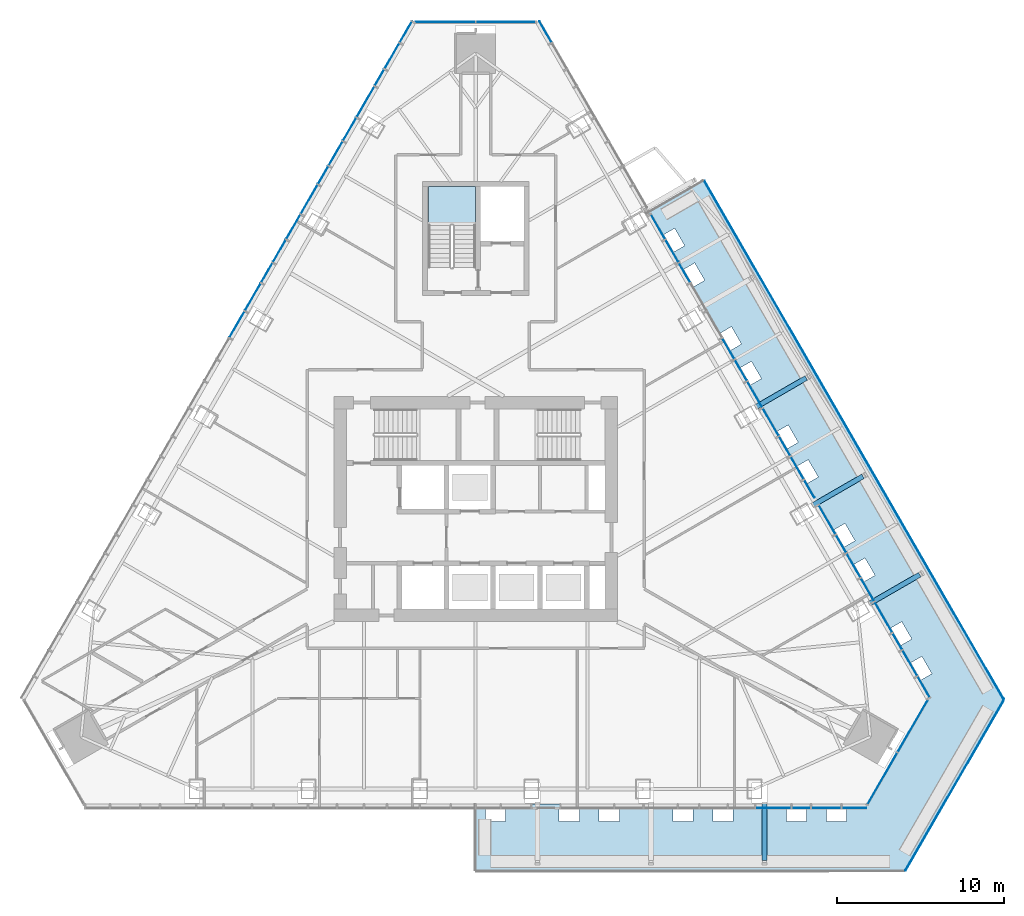
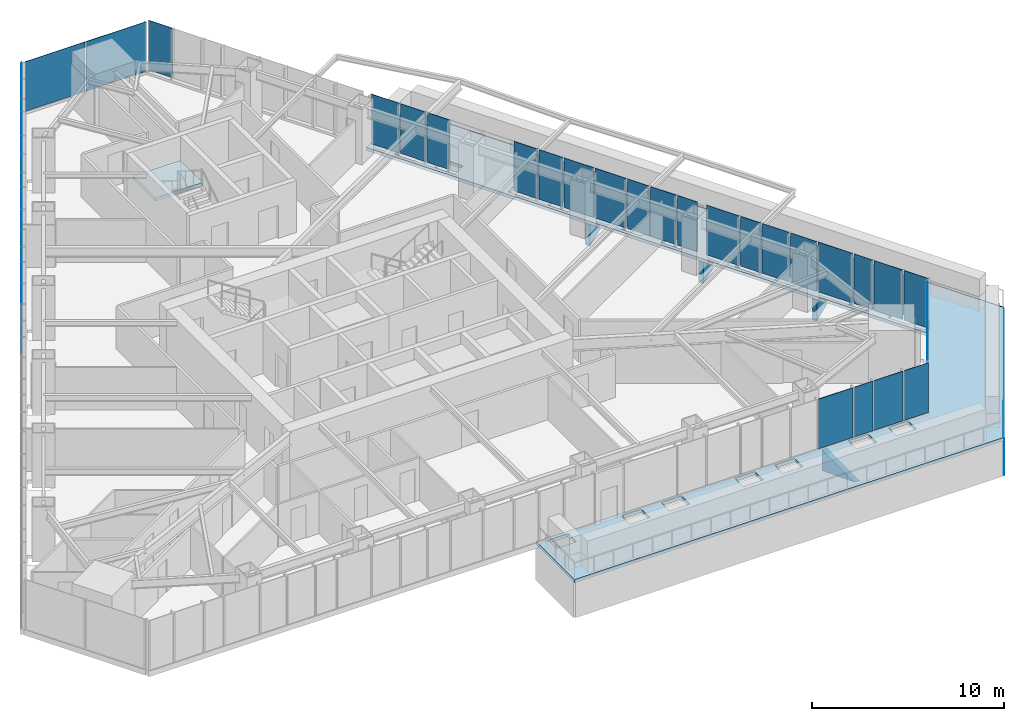
# One storey, part 8 of 17: 46 plates, 2 slabs, 6 elements without a shape of their own.
"""IFC4 building model written with IfcOpenShell, lengths in metres."""

from ifc_helpers import new_model, si_unit, direction, frame, origin, place, context, subcontext, project, spatial, polyline, outline, extrude, material, layer, layer_set, type_object, element, aggregate, save


model = new_model("IFC4")

# Units and contexts
model_context = context("Model", 3, precision=1e-05, world=origin(), true_north=direction((0.0, 1.0)))
body_context = subcontext(model_context, "Body", "Model", "MODEL_VIEW")
ifc_project = project(units=[si_unit("LENGTHUNIT", "METRE"), si_unit("AREAUNIT", "SQUARE_METRE"), si_unit("VOLUMEUNIT", "CUBIC_METRE"), si_unit("PLANEANGLEUNIT", "RADIAN"), si_unit("MASSUNIT", "GRAM", prefix="KILO")], contexts=[model_context])

# Site, building, storey
site_placement = place(None, origin())
site = spatial("IfcSite", under=ifc_project, at=site_placement, CompositionType="ELEMENT")
building_placement = place(site_placement, origin())
building = spatial("IfcBuilding", under=site, at=building_placement, Name="Firuza Gate Tower and Library", CompositionType="ELEMENT")
storey_placement = place(building_placement, frame((0.0, 0.0, 263.60009765625)))
storey = spatial("IfcBuildingStorey", under=building, at=storey_placement, Name="L62", CompositionType="ELEMENT", Elevation=263.60009765625)

# Curtain wall, plates
ifc_material_1 = material(Name="Aluminium 6063-T6", Category="aluminium")
ifc_layer_1 = layer(ifc_material_1, 0.14990234375)
ifc_layer_set_1 = layer_set([ifc_layer_1], Name="Corner curtain wall, chamfers")
curtain_wall_type_1 = type_object("IfcCurtainWallType", Name="Corner curtain wall, chamfers", PredefinedType="NOTDEFINED", material=ifc_layer_set_1)
placement = place(storey_placement, origin())
curtain_wall_1 = element("IfcCurtainWall", 1, at=placement, inside=storey, type_object=curtain_wall_type_1, Name="CW4 L62 SE corner", PredefinedType="NOTDEFINED")
ifc_material_2 = material(Name="Fritted glass", Category="glass")
ifc_layer_2 = layer(ifc_material_2, 0.030029296875)
ifc_layer_set_2 = layer_set([ifc_layer_2], Name="Fritted glass unit, corners")
plate_type_1 = type_object("IfcPlateType", Name="Fritted glass unit, corners", PredefinedType="CURTAIN_PANEL", material=ifc_layer_set_2)
plate_1_placement = place(storey_placement, frame((98.465576171875, 57.291259765625, 0.14990234375), z_axis=(0.866016723041, -0.500015035186, 0.0), x_axis=(0.500015035186, 0.866016723041, 0.0)))
plate_1 = element("IfcPlate", 2, at=plate_1_placement, type_object=plate_type_1, Name="Glass unit", PredefinedType="CURTAIN_PANEL", context=body_context, shape_type="SweptSolid", body=[
    extrude(outline(polyline([(0.0, 0.0), (3.5633694106530625, 0.0), (3.5633694106530625, 3.14990234375), (0.0, 3.14990234375), (0.0, 0.0)])), origin(), (0.0, 0.0, -1.0), 0.030029296875),
])
plate_2_placement = place(storey_placement, frame((100.287353515625, 60.446533203125, 0.14990234375), z_axis=(0.866046390552, -0.49996364809, 0.0), x_axis=(0.49996364809, 0.866046390552, 0.0)))
plate_2 = element("IfcPlate", 3, at=plate_2_placement, type_object=plate_type_1, Name="Glass unit", PredefinedType="CURTAIN_PANEL", context=body_context, shape_type="SweptSolid", body=[
    extrude(outline(polyline([(0.0, 0.0), (3.563247342942594, 0.0), (3.563247342942594, 3.14990234375), (0.0, 3.14990234375), (0.0, 0.0)])), origin(), (0.0, 0.0, -1.0), 0.030029296875),
])
aggregate(curtain_wall_1, [plate_1, plate_2])

curtain_wall_2 = element("IfcCurtainWall", 4, at=placement, inside=storey, type_object=curtain_wall_type_1, Name="CW4 L62 N corner", PredefinedType="NOTDEFINED")
plate_3_placement = place(storey_placement, frame((78.603271484375, 104.176025390625, 0.14990234375), z_axis=(0.0, 1.0, 0.0), x_axis=(-1.0, 0.0, 0.0)))
plate_3 = element("IfcPlate", 5, at=plate_3_placement, type_object=plate_type_1, Name="Glass unit", PredefinedType="CURTAIN_PANEL", context=body_context, shape_type="SweptSolid", body=[
    extrude(outline(polyline([(0.0, 0.0), (3.563232421875, 0.0), (3.563232421875, 3.14990234375), (0.0, 3.14990234375), (0.0, 0.0)])), origin(), (0.0, 0.0, -1.0), 0.030029296875),
])
plate_4_placement = place(storey_placement, frame((74.9599609375, 104.176025390625, 0.14990234375), z_axis=(0.0, 1.0, 0.0), x_axis=(-1.0, 0.0, 0.0)))
plate_4 = element("IfcPlate", 6, at=plate_4_placement, type_object=plate_type_1, Name="Glass unit", PredefinedType="CURTAIN_PANEL", context=body_context, shape_type="SweptSolid", body=[
    extrude(outline(polyline([(0.0, 0.0), (3.563232421875, 0.0), (3.563232421875, 3.14990234375), (0.0, 3.14990234375), (0.0, 0.0)])), origin(), (0.0, 0.0, -1.0), 0.030029296875),
])
aggregate(curtain_wall_2, [plate_3, plate_4])

ifc_material_3 = material(Name="Aluminium 6063-T6", Category="aluminium")
ifc_layer_3 = layer(ifc_material_3, 0.14990234375)
ifc_layer_set_3 = layer_set([ifc_layer_3], Name="Unitised curtain wall, residences")
curtain_wall_type_2 = type_object("IfcCurtainWallType", Name="Unitised curtain wall, residences", PredefinedType="NOTDEFINED", material=ifc_layer_set_3)
curtain_wall_3 = element("IfcCurtainWall", 7, at=placement, inside=storey, type_object=curtain_wall_type_2, Name="CW3 L62 S face", PredefinedType="NOTDEFINED")
ifc_material_4 = material(Name="Fritted glass", Category="glass")
ifc_layer_4 = layer(ifc_material_4, 0.030029296875)
ifc_layer_set_4 = layer_set([ifc_layer_4], Name="Fritted glass unit, residences")
plate_type_2 = type_object("IfcPlateType", Name="Fritted glass unit, residences", PredefinedType="CURTAIN_PANEL", material=ifc_layer_set_4)
plate_5_placement = place(storey_placement, frame((91.777587890625, 57.079345703125, 0.14990234375), z_axis=(0.0, -1.0, 0.0), x_axis=(1.0, 0.0, 0.0)))
plate_5 = element("IfcPlate", 8, at=plate_5_placement, type_object=plate_type_2, Name="Glass unit", PredefinedType="CURTAIN_PANEL", context=body_context, shape_type="SweptSolid", body=[
    extrude(outline(polyline([(0.0, 0.0), (2.084228515625, 0.0), (2.084228515625, 3.14990234375), (0.0, 3.14990234375), (0.0, 0.0)])), origin(), (0.0, 0.0, -1.0), 0.030029296875),
])
plate_6_placement = place(storey_placement, frame((96.938232421875, 57.079345703125, 0.14990234375), z_axis=(0.0, -1.0, 0.0), x_axis=(1.0, 0.0, 0.0)))
plate_6 = element("IfcPlate", 9, at=plate_6_placement, type_object=plate_type_2, Name="Glass unit", PredefinedType="CURTAIN_PANEL", context=body_context, shape_type="SweptSolid", body=[
    extrude(outline(polyline([(0.0, 0.0), (1.454345703125, 0.0), (1.454345703125, 3.14990234375), (0.0, 3.14990234375), (0.0, 0.0)])), origin(), (0.0, 0.0, -1.0), 0.030029296875),
])

curtain_wall_4 = element("IfcCurtainWall", 10, at=placement, inside=storey, type_object=curtain_wall_type_2, Name="CW3 L62 E face", PredefinedType="NOTDEFINED")
plate_7_placement = place(storey_placement, frame((102.216064453125, 63.70166015625, 0.14990234375), z_axis=(0.866107332248, 0.499858068882, 0.0), x_axis=(-0.499858068882, 0.866107332248, 0.0)))
plate_7 = element("IfcPlate", 11, at=plate_7_placement, type_object=plate_type_2, Name="Glass unit", PredefinedType="CURTAIN_PANEL", context=body_context, shape_type="SweptSolid", body=[
    extrude(outline(polyline([(0.0, 0.0), (1.4545144442211209, 0.0), (1.4545144442211209, 3.14990234375), (0.0, 3.14990234375), (0.0, 0.0)])), origin(), (0.0, 0.0, -1.0), 0.030029296875),
])
plate_8_placement = place(storey_placement, frame((99.95068359375, 67.62548828125, 0.14990234375), z_axis=(0.866072462134, 0.499918483688, 0.0), x_axis=(-0.499918483688, 0.866072462134, 0.0)))
plate_8 = element("IfcPlate", 12, at=plate_8_placement, type_object=plate_type_2, Name="Glass unit", PredefinedType="CURTAIN_PANEL", context=body_context, shape_type="SweptSolid", body=[
    extrude(outline(polyline([(0.0, 0.0), (2.084324187841849, 0.0), (2.084324187841849, 3.14990234375), (0.0, 3.14990234375), (0.0, 0.0)])), origin(), (0.0, 0.0, -1.0), 0.030029296875),
])
plate_9_placement = place(storey_placement, frame((98.86865234375, 69.499755859375, 0.14990234375), z_axis=(0.866018739521, 0.500011542666, 0.0), x_axis=(-0.500011542666, 0.866018739521, 0.0)))
plate_9 = element("IfcPlate", 13, at=plate_9_placement, type_object=plate_type_2, Name="Glass unit", PredefinedType="CURTAIN_PANEL", context=body_context, shape_type="SweptSolid", body=[
    extrude(outline(polyline([(0.0, 0.0), (1.5595343101325443, 0.0), (1.5595343101325443, 3.14990234375), (0.0, 3.14990234375), (0.0, 0.0)])), origin(), (0.0, 0.0, -1.0), 0.030029296875),
])
plate_10_placement = place(storey_placement, frame((96.55078125, 73.5146484375, 0.14990234375), z_axis=(0.86597192402, 0.500092618231, 0.0), x_axis=(-0.500092618231, 0.86597192402, 0.0)))
plate_10 = element("IfcPlate", 14, at=plate_10_placement, type_object=plate_type_2, Name="Glass unit", PredefinedType="CURTAIN_PANEL", context=body_context, shape_type="SweptSolid", body=[
    extrude(outline(polyline([(0.0, 0.0), (1.9791255812814263, 0.0), (1.9791255812814263, 3.14990234375), (0.0, 3.14990234375), (0.0, 0.0)])), origin(), (0.0, 0.0, -1.0), 0.030029296875),
])
plate_11_placement = place(storey_placement, frame((95.288330078125, 75.701171875, 0.14990234375), z_axis=(0.866015997389, 0.500016292001, 0.0), x_axis=(-0.500016292001, 0.866015997389, 0.0)))
plate_11 = element("IfcPlate", 15, at=plate_11_placement, type_object=plate_type_2, Name="Glass unit", PredefinedType="CURTAIN_PANEL", context=body_context, shape_type="SweptSolid", body=[
    extrude(outline(polyline([(0.0, 0.0), (1.1986914105859994, 0.0), (1.1986914105859994, 3.14990234375), (0.0, 3.14990234375), (0.0, 0.0)])), origin(), (0.0, 0.0, -1.0), 0.030029296875),
])
plate_12_placement = place(storey_placement, frame((93.150634765625, 79.403564453125, 0.14990234375), z_axis=(0.866038072327, 0.499978056798, 0.0), x_axis=(-0.499978056798, 0.866038072327, 0.0)))
plate_12 = element("IfcPlate", 16, at=plate_12_placement, type_object=plate_type_2, Name="Glass unit", PredefinedType="CURTAIN_PANEL", context=body_context, shape_type="SweptSolid", body=[
    extrude(outline(polyline([(0.0, 0.0), (1.8741056852595306, 0.0), (1.8741056852595306, 3.14990234375), (0.0, 3.14990234375), (0.0, 0.0)])), origin(), (0.0, 0.0, -1.0), 0.030029296875),
])
plate_13_placement = place(storey_placement, frame((92.173583984375, 81.095947265625, 0.14990234375), z_axis=(0.865992557167, 0.500056887695, 0.0), x_axis=(-0.500056887695, 0.865992557167, 0.0)))
plate_13 = element("IfcPlate", 17, at=plate_13_placement, type_object=plate_type_2, Name="Glass unit", PredefinedType="CURTAIN_PANEL", context=body_context, shape_type="SweptSolid", body=[
    extrude(outline(polyline([(0.0, 0.0), (1.7693299437957317, 0.0), (1.7693299437957317, 3.14990234375), (0.0, 3.14990234375), (0.0, 0.0)])), origin(), (0.0, 0.0, -1.0), 0.030029296875),
])
plate_14_placement = place(storey_placement, frame((86.350830078125, 91.181396484375, 0.14990234375), z_axis=(0.866004823592, 0.500035644245, 0.0), x_axis=(-0.500035644245, 0.866004823592, 0.0)))
plate_14 = element("IfcPlate", 18, at=plate_14_placement, type_object=plate_type_2, Name="Glass unit", PredefinedType="CURTAIN_PANEL", context=body_context, shape_type="SweptSolid", body=[
    extrude(outline(polyline([(0.0, 0.0), (1.6644321263959847, 0.0), (1.6644321263959847, 3.14990234375), (0.0, 3.14990234375), (0.0, 0.0)])), origin(), (0.0, 0.0, -1.0), 0.030029296875),
])
plate_15_placement = place(storey_placement, frame((79.55078125, 102.95947265625, 0.14990234375), z_axis=(0.865992696156, 0.500056646995, 0.0), x_axis=(-0.500056646995, 0.865992696156, 0.0)))
plate_15 = element("IfcPlate", 19, at=plate_15_placement, type_object=plate_type_2, Name="Glass unit", PredefinedType="CURTAIN_PANEL", context=body_context, shape_type="SweptSolid", body=[
    extrude(outline(polyline([(0.0, 0.0), (1.454425066130038, 0.0), (1.454425066130038, 3.14990234375), (0.0, 3.14990234375), (0.0, 0.0)])), origin(), (0.0, 0.0, -1.0), 0.030029296875),
])

curtain_wall_5 = element("IfcCurtainWall", 20, at=placement, inside=storey, type_object=curtain_wall_type_2, Name="CW3 L62 W face", PredefinedType="NOTDEFINED")
plate_16_placement = place(storey_placement, frame((71.176513671875, 104.218994140625, 0.14990234375), z_axis=(-0.865992696156, 0.500056646995, 0.0), x_axis=(-0.500056646995, -0.865992696156, 0.0)))
plate_16 = element("IfcPlate", 21, at=plate_16_placement, type_object=plate_type_2, Name="Glass unit", PredefinedType="CURTAIN_PANEL", context=body_context, shape_type="SweptSolid", body=[
    extrude(outline(polyline([(0.0, 0.0), (1.454425066130038, 0.0), (1.454425066130038, 3.14990234375), (0.0, 3.14990234375), (0.0, 0.0)])), origin(), (0.0, 0.0, -1.0), 0.030029296875),
])
plate_17_placement = place(storey_placement, frame((68.9111328125, 100.295166015625, 0.14990234375), z_axis=(-0.865992460177, 0.50005705566, 0.0), x_axis=(-0.50005705566, -0.865992460177, 0.0)))
plate_17 = element("IfcPlate", 22, at=plate_17_placement, type_object=plate_type_2, Name="Glass unit", PredefinedType="CURTAIN_PANEL", context=body_context, shape_type="SweptSolid", body=[
    extrude(outline(polyline([(0.0, 0.0), (2.0842348214615205, 0.0), (2.0842348214615205, 3.14990234375), (0.0, 3.14990234375), (0.0, 0.0)])), origin(), (0.0, 0.0, -1.0), 0.030029296875),
])
plate_18_placement = place(storey_placement, frame((67.828857421875, 98.4208984375, 0.14990234375), z_axis=(-0.866086524807, 0.499894120338, 0.0), x_axis=(-0.499894120338, -0.866086524807, 0.0)))
plate_18 = element("IfcPlate", 23, at=plate_18_placement, type_object=plate_type_2, Name="Glass unit", PredefinedType="CURTAIN_PANEL", context=body_context, shape_type="SweptSolid", body=[
    extrude(outline(polyline([(0.0, 0.0), (1.55941225133523, 0.0), (1.55941225133523, 3.149902343750001), (0.0, 3.149902343750001), (0.0, 0.0)])), origin(), (0.0, 0.0, -1.0), 0.030029296875),
])
plate_19_placement = place(storey_placement, frame((65.510986328125, 94.40625, 0.14990234375), z_axis=(-0.866056180903, 0.499946688677, 0.0), x_axis=(-0.499946688677, -0.866056180903, 0.0)))
plate_19 = element("IfcPlate", 24, at=plate_19_placement, type_object=plate_type_2, Name="Glass unit", PredefinedType="CURTAIN_PANEL", context=body_context, shape_type="SweptSolid", body=[
    extrude(outline(polyline([(0.0, 0.0), (1.9792149353833812, 0.0), (1.9792149353833812, 3.14990234375), (0.0, 3.14990234375), (0.0, 0.0)])), origin(), (0.0, 0.0, -1.0), 0.030029296875),
])
plate_20_placement = place(storey_placement, frame((64.4814453125, 92.622802734375, 0.14990234375), z_axis=(-0.866004823592, 0.500035644245, 0.0), x_axis=(-0.500035644245, -0.866004823592, 0.0)))
plate_20 = element("IfcPlate", 25, at=plate_20_placement, type_object=plate_type_2, Name="Glass unit", PredefinedType="CURTAIN_PANEL", context=body_context, shape_type="SweptSolid", body=[
    extrude(outline(polyline([(0.0, 0.0), (1.6644321263959847, 0.0), (1.6644321263959847, 3.14990234375), (0.0, 3.14990234375), (0.0, 0.0)])), origin(), (0.0, 0.0, -1.0), 0.030029296875),
])
plate_21_placement = place(storey_placement, frame((62.111083984375, 88.517333984375, 0.14990234375), z_axis=(-0.866014233227, 0.500019347474, 0.0), x_axis=(-0.500019347474, -0.866014233227, 0.0)))
plate_21 = element("IfcPlate", 26, at=plate_21_placement, type_object=plate_type_2, Name="Glass unit", PredefinedType="CURTAIN_PANEL", context=body_context, shape_type="SweptSolid", body=[
    extrude(outline(polyline([(0.0, 0.0), (1.8744391874215642, 0.0), (1.8744391874215642, 3.149902343750001), (0.0, 3.149902343750001), (0.0, 0.0)])), origin(), (0.0, 0.0, -1.0), 0.030029296875),
])
plate_22_placement = place(storey_placement, frame((61.134033203125, 86.82470703125, 0.14990234375), z_axis=(-0.865992557167, 0.500056887695, 0.0), x_axis=(-0.500056887695, -0.865992557167, 0.0)))
plate_22 = element("IfcPlate", 27, at=plate_22_placement, type_object=plate_type_2, Name="Glass unit", PredefinedType="CURTAIN_PANEL", context=body_context, shape_type="SweptSolid", body=[
    extrude(outline(polyline([(0.0, 0.0), (1.7693299437957317, 0.0), (1.7693299437957317, 3.14990234375), (0.0, 3.14990234375), (0.0, 0.0)])), origin(), (0.0, 0.0, -1.0), 0.030029296875),
])

# Plate
ifc_material_5 = material(Name="Glazed ceramic tile")
ifc_layer_5 = layer(ifc_material_5, 0.030029296875)
ifc_layer_set_5 = layer_set([ifc_layer_5], Name="Opaque ceramic panel, residences")
plate_type_3 = type_object("IfcPlateType", Name="Opaque ceramic panel, residences", PredefinedType="CURTAIN_PANEL", material=ifc_layer_set_5)
plate_23_placement = place(storey_placement, frame((93.94189453125, 57.079345703125, 0.14990234375), z_axis=(0.0, -1.0, 0.0), x_axis=(1.0, 0.0, 0.0)))
plate_23 = element("IfcPlate", 28, at=plate_23_placement, type_object=plate_type_3, Name="Opaque ceramic panel", PredefinedType="CURTAIN_PANEL", context=body_context, shape_type="SweptSolid", body=[
    extrude(outline(polyline([(0.0, 0.0), (1.103271484375, 0.0), (1.103271484375, 3.14990234375), (0.0, 3.14990234375), (0.0, 0.0)])), origin(), (0.0, 0.0, -1.0), 0.030029296875),
])

plate_24_placement = place(storey_placement, frame((95.125, 57.079345703125, 0.14990234375), z_axis=(0.0, -1.0, 0.0), x_axis=(1.0, 0.0, 0.0)))
plate_24 = element("IfcPlate", 29, at=plate_24_placement, type_object=plate_type_3, Name="Opaque ceramic panel", PredefinedType="CURTAIN_PANEL", context=body_context, shape_type="SweptSolid", body=[
    extrude(outline(polyline([(0.0, 0.0), (1.733154296875, 0.0), (1.733154296875, 3.14990234375), (0.0, 3.14990234375), (0.0, 0.0)])), origin(), (0.0, 0.0, -1.0), 0.030029296875),
])

aggregate(curtain_wall_3, [plate_5, plate_23, plate_24, plate_6])

plate_25_placement = place(storey_placement, frame((101.448974609375, 65.03076171875, 0.14990234375), z_axis=(0.865962694384, 0.500108600141, 0.0), x_axis=(-0.500108600141, 0.865962694384, 0.0)))
plate_25 = element("IfcPlate", 30, at=plate_25_placement, type_object=plate_type_3, Name="Opaque ceramic panel", PredefinedType="CURTAIN_PANEL", context=body_context, shape_type="SweptSolid", body=[
    extrude(outline(polyline([(0.0, 0.0), (1.7330220246288457, 0.0), (1.7330220246288457, 3.14990234375), (0.0, 3.14990234375), (0.0, 0.0)])), origin(), (0.0, 0.0, -1.0), 0.030029296875),
])

plate_26_placement = place(storey_placement, frame((100.54248046875, 66.600830078125, 0.14990234375), z_axis=(0.866001350717, 0.50004165882, 0.0), x_axis=(-0.50004165882, 0.866001350717, 0.0)))
plate_26 = element("IfcPlate", 31, at=plate_26_placement, type_object=plate_type_3, Name="Opaque ceramic panel", PredefinedType="CURTAIN_PANEL", context=body_context, shape_type="SweptSolid", body=[
    extrude(outline(polyline([(0.0, 0.0), (1.1034236903421664, 0.0), (1.1034236903421664, 3.14990234375), (0.0, 3.14990234375), (0.0, 0.0)])), origin(), (0.0, 0.0, -1.0), 0.030029296875),
])

plate_27_placement = place(storey_placement, frame((98.048828125, 70.919677734375, 0.14990234375), z_axis=(0.866038248142, 0.499977752261, 0.0), x_axis=(-0.499977752261, 0.866038248142, 0.0)))
plate_27 = element("IfcPlate", 32, at=plate_27_placement, type_object=plate_type_3, Name="Opaque ceramic panel", PredefinedType="CURTAIN_PANEL", context=body_context, shape_type="SweptSolid", body=[
    extrude(outline(polyline([(0.0, 0.0), (1.6280021262342457, 0.0), (1.6280021262342457, 3.14990234375), (0.0, 3.14990234375), (0.0, 0.0)])), origin(), (0.0, 0.0, -1.0), 0.030029296875),
])

plate_28_placement = place(storey_placement, frame((97.19482421875, 72.39892578125, 0.14990234375), z_axis=(0.866071184225, 0.499920697567, 0.0), x_axis=(-0.499920697567, 0.866071184225, 0.0)))
plate_28 = element("IfcPlate", 33, at=plate_28_placement, type_object=plate_type_3, Name="Opaque ceramic panel", PredefinedType="CURTAIN_PANEL", context=body_context, shape_type="SweptSolid", body=[
    extrude(outline(polyline([(0.0, 0.0), (1.2081994388103525, 0.0), (1.2081994388103525, 3.14990234375), (0.0, 3.14990234375), (0.0, 0.0)])), origin(), (0.0, 0.0, -1.0), 0.030029296875),
])

plate_29_placement = place(storey_placement, frame((94.64892578125, 76.80859375, 0.14990234375), z_axis=(0.866054796986, 0.499949086026, 0.0), x_axis=(-0.499949086026, 0.866054796986, 0.0)))
plate_29 = element("IfcPlate", 34, at=plate_29_placement, type_object=plate_type_3, Name="Opaque ceramic panel", PredefinedType="CURTAIN_PANEL", context=body_context, shape_type="SweptSolid", body=[
    extrude(outline(polyline([(0.0, 0.0), (1.5231043133369837, 0.0), (1.5231043133369837, 3.14990234375), (0.0, 3.14990234375), (0.0, 0.0)])), origin(), (0.0, 0.0, -1.0), 0.030029296875),
])

plate_30_placement = place(storey_placement, frame((93.847412109375, 78.197021484375, 0.14990234375), z_axis=(0.865968850352, 0.500097940628, 0.0), x_axis=(-0.500097940628, 0.865968850352, 0.0)))
plate_30 = element("IfcPlate", 35, at=plate_30_placement, type_object=plate_type_3, Name="Opaque ceramic panel", PredefinedType="CURTAIN_PANEL", context=body_context, shape_type="SweptSolid", body=[
    extrude(outline(polyline([(0.0, 0.0), (1.3132193274482533, 0.0), (1.3132193274482533, 3.14990234375), (0.0, 3.14990234375), (0.0, 0.0)])), origin(), (0.0, 0.0, -1.0), 0.030029296875),
])

plate_31_placement = place(storey_placement, frame((91.2490234375, 82.697509765625, 0.14990234375), z_axis=(0.865999255827, 0.500045286857, 0.0), x_axis=(-0.500045286857, 0.865999255827, 0.0)))
plate_31 = element("IfcPlate", 36, at=plate_31_placement, type_object=plate_type_3, Name="Opaque ceramic panel", PredefinedType="CURTAIN_PANEL", context=body_context, shape_type="SweptSolid", body=[
    extrude(outline(polyline([(0.0, 0.0), (1.4183285679645625, 0.0), (1.4183285679645625, 3.14990234375), (0.0, 3.14990234375), (0.0, 0.0)])), origin(), (0.0, 0.0, -1.0), 0.030029296875),
])

plate_32_placement = place(storey_placement, frame((90.499755859375, 83.9951171875, 0.14990234375), z_axis=(0.866030760678, 0.499990721473, 0.0), x_axis=(-0.499990721473, 0.866030760678, 0.0)))
plate_32 = element("IfcPlate", 37, at=plate_32_placement, type_object=plate_type_3, Name="Opaque ceramic panel", PredefinedType="CURTAIN_PANEL", context=body_context, shape_type="SweptSolid", body=[
    extrude(outline(polyline([(0.0, 0.0), (1.4179950638108094, 0.0), (1.4179950638108094, 3.14990234375), (0.0, 3.14990234375), (0.0, 0.0)])), origin(), (0.0, 0.0, -1.0), 0.030029296875),
])

plate_33_placement = place(storey_placement, frame((87.848876953125, 88.58642578125, 0.14990234375), z_axis=(0.866095821409, 0.499878013258, 0.0), x_axis=(-0.499878013258, 0.866095821409, 0.0)))
plate_33 = element("IfcPlate", 38, at=plate_33_placement, type_object=plate_type_3, Name="Opaque ceramic panel", PredefinedType="CURTAIN_PANEL", context=body_context, shape_type="SweptSolid", body=[
    extrude(outline(polyline([(0.0, 0.0), (1.3133086937482628, 0.0), (1.3133086937482628, 3.1499023437499996), (0.0, 3.1499023437499996), (0.0, 0.0)])), origin(), (0.0, 0.0, -1.0), 0.030029296875),
])

plate_34_placement = place(storey_placement, frame((87.15234375, 89.793212890625, 0.14990234375), z_axis=(0.865945301566, 0.500138715454, 0.0), x_axis=(-0.500138715454, 0.865945301566, 0.0)))
plate_34 = element("IfcPlate", 39, at=plate_34_placement, type_object=plate_type_3, Name="Opaque ceramic panel", PredefinedType="CURTAIN_PANEL", context=body_context, shape_type="SweptSolid", body=[
    extrude(outline(polyline([(0.0, 0.0), (1.523014968573087, 0.0), (1.523014968573087, 3.14990234375), (0.0, 3.14990234375), (0.0, 0.0)])), origin(), (0.0, 0.0, -1.0), 0.030029296875),
])

aggregate(curtain_wall_4, [plate_7, plate_25, plate_26, plate_8, plate_9, plate_27, plate_28, plate_10, plate_11, plate_29, plate_30, plate_12, plate_13, plate_31, plate_32, plate_33, plate_34, plate_14, plate_15])

plate_35_placement = place(storey_placement, frame((70.4091796875, 102.89013671875, 0.14990234375), z_axis=(-0.866058917387, 0.499941948244, 0.0), x_axis=(-0.499941948244, -0.866058917387, 0.0)))
plate_35 = element("IfcPlate", 40, at=plate_35_placement, type_object=plate_type_3, Name="Opaque ceramic panel", PredefinedType="CURTAIN_PANEL", context=body_context, shape_type="SweptSolid", body=[
    extrude(outline(polyline([(0.0, 0.0), (1.7331113765661212, 0.0), (1.7331113765661212, 3.149902343750001), (0.0, 3.149902343750001), (0.0, 0.0)])), origin(), (0.0, 0.0, -1.0), 0.030029296875),
])

plate_36_placement = place(storey_placement, frame((69.502685546875, 101.320068359375, 0.14990234375), z_axis=(-0.86609715799, 0.49987569747, 0.0), x_axis=(-0.49987569747, -0.86609715799, 0.0)))
plate_36 = element("IfcPlate", 41, at=plate_36_placement, type_object=plate_type_3, Name="Opaque ceramic panel", PredefinedType="CURTAIN_PANEL", context=body_context, shape_type="SweptSolid", body=[
    extrude(outline(polyline([(0.0, 0.0), (1.1033016301168894, 0.0), (1.1033016301168894, 3.14990234375), (0.0, 3.14990234375), (0.0, 0.0)])), origin(), (0.0, 0.0, -1.0), 0.030029296875),
])

plate_37_placement = place(storey_placement, frame((67.00927734375, 97.001220703125, 0.14990234375), z_axis=(-0.866075728337, 0.499912825186, 0.0), x_axis=(-0.499912825186, -0.866075728337, 0.0)))
plate_37 = element("IfcPlate", 42, at=plate_37_placement, type_object=plate_type_3, Name="Opaque ceramic panel", PredefinedType="CURTAIN_PANEL", context=body_context, shape_type="SweptSolid", body=[
    extrude(outline(polyline([(0.0, 0.0), (1.628213565928937, 0.0), (1.628213565928937, 3.14990234375), (0.0, 3.14990234375), (0.0, 0.0)])), origin(), (0.0, 0.0, -1.0), 0.030029296875),
])

plate_38_placement = place(storey_placement, frame((66.1552734375, 95.52197265625, 0.14990234375), z_axis=(-0.865983690264, 0.500072242978, 0.0), x_axis=(-0.500072242978, -0.865983690264, 0.0)))
plate_38 = element("IfcPlate", 43, at=plate_38_placement, type_object=plate_type_3, Name="Opaque ceramic panel", PredefinedType="CURTAIN_PANEL", context=body_context, shape_type="SweptSolid", body=[
    extrude(outline(polyline([(0.0, 0.0), (1.2083215082620369, 0.0), (1.2083215082620369, 3.14990234375), (0.0, 3.14990234375), (0.0, 0.0)])), origin(), (0.0, 0.0, -1.0), 0.030029296875),
])

plate_39_placement = place(storey_placement, frame((63.609375, 91.112060546875, 0.14990234375), z_axis=(-0.865945301566, 0.500138715454, 0.0), x_axis=(-0.500138715454, -0.865945301566, 0.0)))
plate_39 = element("IfcPlate", 44, at=plate_39_placement, type_object=plate_type_3, Name="Opaque ceramic panel", PredefinedType="CURTAIN_PANEL", context=body_context, shape_type="SweptSolid", body=[
    extrude(outline(polyline([(0.0, 0.0), (1.523014968573087, 0.0), (1.523014968573087, 3.14990234375), (0.0, 3.14990234375), (0.0, 0.0)])), origin(), (0.0, 0.0, -1.0), 0.030029296875),
])

plate_40_placement = place(storey_placement, frame((62.8076171875, 89.723876953125, 0.14990234375), z_axis=(-0.866095821409, 0.499878013258, 0.0), x_axis=(-0.499878013258, -0.866095821409, 0.0)))
plate_40 = element("IfcPlate", 45, at=plate_40_placement, type_object=plate_type_3, Name="Opaque ceramic panel", PredefinedType="CURTAIN_PANEL", context=body_context, shape_type="SweptSolid", body=[
    extrude(outline(polyline([(0.0, 0.0), (1.3133086937482628, 0.0), (1.3133086937482628, 3.1499023437499996), (0.0, 3.1499023437499996), (0.0, 0.0)])), origin(), (0.0, 0.0, -1.0), 0.030029296875),
])

aggregate(curtain_wall_5, [plate_16, plate_35, plate_36, plate_17, plate_18, plate_37, plate_38, plate_19, plate_20, plate_39, plate_40, plate_21, plate_22])

# Slab
ifc_material_6 = material(Name="Concrete C40/50", Category="concrete")
ifc_layer_6 = layer(ifc_material_6, 0.199951171875)
ifc_layer_set_6 = layer_set([ifc_layer_6], Name="Planter tray slab 200 C40/50")
slab_type_1 = type_object("IfcSlabType", Name="Planter tray slab 200 C40/50", PredefinedType="FLOOR", material=ifc_layer_set_6)
slab_1_placement = place(storey_placement, frame((0.0, 0.0, -0.2001953125)))
element("IfcSlab", 46, at=slab_1_placement, inside=storey, type_object=slab_type_1, Name="Planter tray L62 band 7", PredefinedType="FLOOR", context=body_context, shape_type="SweptSolid", body=[
    extrude(outline(polyline([(75.0, 57.33935546875), (75.0, 53.33935546875), (100.69873046875, 53.33935546875), (106.608154296875, 63.57470703125), (88.66064453125, 94.66064453125), (85.196533203125, 92.66064453125), (101.9892578125, 63.57470703125), (98.389404296875, 57.33935546875), (75.0, 57.33935546875)]), holes=[polyline([(75.59814453125, 57.127197265625), (76.798095703125, 57.127197265625), (76.798095703125, 56.277099609375), (75.59814453125, 56.277099609375), (75.59814453125, 57.127197265625)]), polyline([(80.001953125, 56.277099609375), (80.001953125, 57.127197265625), (81.201904296875, 57.127197265625), (81.201904296875, 56.277099609375), (80.001953125, 56.277099609375)]), polyline([(82.398193359375, 57.127197265625), (83.59814453125, 57.127197265625), (83.59814453125, 56.277099609375), (82.398193359375, 56.277099609375), (82.398193359375, 57.127197265625)]), polyline([(86.802001953125, 56.277099609375), (86.802001953125, 57.127197265625), (88.001953125, 57.127197265625), (88.001953125, 56.277099609375), (86.802001953125, 56.277099609375)]), polyline([(89.197998046875, 57.127197265625), (90.398193359375, 57.127197265625), (90.398193359375, 56.277099609375), (89.197998046875, 56.277099609375), (89.197998046875, 57.127197265625)]), polyline([(93.601806640625, 57.127197265625), (94.802001953125, 57.127197265625), (94.802001953125, 56.277099609375), (93.601806640625, 56.277099609375), (93.601806640625, 57.127197265625)]), polyline([(95.998046875, 56.277099609375), (95.998046875, 57.127197265625), (97.197998046875, 57.127197265625), (97.197998046875, 56.277099609375), (95.998046875, 56.277099609375)]), polyline([(102.3134765625, 65.13720703125), (101.577392578125, 64.71240234375), (100.977294921875, 65.75146484375), (101.713623046875, 66.176513671875), (102.3134765625, 65.13720703125)]), polyline([(101.115478515625, 67.21240234375), (100.37939453125, 66.78759765625), (99.779296875, 67.82666015625), (100.515380859375, 68.251708984375), (101.115478515625, 67.21240234375)]), polyline([(98.177490234375, 70.601318359375), (97.577392578125, 71.640625), (98.3134765625, 72.0654296875), (98.91357421875, 71.0263671875), (98.177490234375, 70.601318359375)]), polyline([(96.979248046875, 72.676513671875), (96.37939453125, 73.715576171875), (97.115478515625, 74.140625), (97.71533203125, 73.1015625), (96.979248046875, 72.676513671875)]), polyline([(95.513427734375, 76.915283203125), (94.77734375, 76.490234375), (94.177490234375, 77.529541015625), (94.91357421875, 77.95458984375), (95.513427734375, 76.915283203125)]), polyline([(93.579345703125, 78.5654296875), (92.979248046875, 79.604736328125), (93.71533203125, 80.029541015625), (94.3154296875, 78.990478515625), (93.579345703125, 78.5654296875)]), polyline([(91.37744140625, 82.379150390625), (90.77734375, 83.41845703125), (91.513427734375, 83.843505859375), (92.113525390625, 82.80419921875), (91.37744140625, 82.379150390625)]), polyline([(90.91552734375, 84.87939453125), (90.17919921875, 84.454345703125), (89.579345703125, 85.49365234375), (90.3154296875, 85.918701171875), (90.91552734375, 84.87939453125)]), polyline([(87.977294921875, 88.268310546875), (87.37744140625, 89.307373046875), (88.113525390625, 89.732421875), (88.713623046875, 88.693115234375), (87.977294921875, 88.268310546875)]), polyline([(86.779296875, 90.34326171875), (86.17919921875, 91.382568359375), (86.91552734375, 91.8076171875), (87.515380859375, 90.768310546875), (86.779296875, 90.34326171875)])]), origin(), (0.0, 0.0, 1.0), 0.2001953125),
])

# Stair, slab
ifc_material_7 = material(Name="Concrete C35/45", Category="concrete")
stair_type = type_object("IfcStairType", Name="Exit stair ST17", PredefinedType="HALF_TURN_STAIR", material=ifc_material_7)
stair = element("IfcStair", 47, at=placement, inside=storey, type_object=stair_type, Name="L62 Stair ST3", PredefinedType="HALF_TURN_STAIR")
ifc_material_8 = material(Name="Concrete C35/45", Category="concrete")
ifc_layer_7 = layer(ifc_material_8, 0.199951171875)
ifc_layer_set_7 = layer_set([ifc_layer_7], Name="Stair landing 200")
slab_type_2 = type_object("IfcSlabType", Name="Stair landing 200", PredefinedType="LANDING", material=ifc_layer_set_7)
slab_2_placement = place(storey_placement, frame((0.0, 0.0, 1.5498046875)))
slab_2 = element("IfcSlab", 48, at=slab_2_placement, type_object=slab_type_2, Name="ST3 landing 1", PredefinedType="LANDING", context=body_context, shape_type="SweptSolid", body=[
    extrude(outline(polyline([(75.0, 91.989990234375), (75.0, 94.300048828125), (72.159912109375, 94.300048828125), (72.159912109375, 91.989990234375), (75.0, 91.989990234375)])), origin(), (0.0, 0.0, 1.0), 0.2001953125),
])
aggregate(stair, [slab_2])

# Plates
ifc_material_9 = material(Name="Steel S355", Category="steel")
ifc_layer_8 = layer(ifc_material_9, 0.300048828125)
ifc_layer_set_8 = layer_set([ifc_layer_8], Name="Tray bracket web 300 Steel S355")
plate_type_4 = type_object("IfcPlateType", Name="Tray bracket web 300 Steel S355", PredefinedType="SHEET", material=ifc_layer_set_8)
plate_41_placement = place(storey_placement, frame((92.449951171875, 57.366943359375, -0.2001953125), z_axis=(1.0, 0.0, 0.0), x_axis=(0.0, -1.0, 0.0)))
element("IfcPlate", 49, at=plate_41_placement, inside=storey, type_object=plate_type_4, Name="Tray bracket web L62 col:L61:S6", PredefinedType="SHEET", context=body_context, shape_type="SweptSolid", body=[
    extrude(outline(polyline([(0.0, 0.0), (3.428955078125, 0.0), (0.0, 1.333984375), (0.0, 0.0)])), origin(), (0.0, 0.0, -1.0), 0.300048828125),
])
plate_42_placement = place(storey_placement, frame((98.5458984375, 69.48388671875, -0.2001953125), z_axis=(-0.50005106974, 0.865995916649, 0.0), x_axis=(0.865995916649, 0.50005106974, 0.0)))
element("IfcPlate", 50, at=plate_42_placement, inside=storey, type_object=plate_type_4, Name="Tray bracket web L62 col:L61:E1", PredefinedType="SHEET", context=body_context, shape_type="SweptSolid", body=[
    extrude(outline(polyline([(0.0, 0.0), (3.429825460661424, 0.0), (0.0, 1.333984375), (0.0, 0.0)])), origin(), (0.0, 0.0, -1.0), 0.300048828125),
])
plate_43_placement = place(storey_placement, frame((95.14599609375, 75.373046875, -0.2001953125), z_axis=(-0.500028509433, 0.86600894323, 0.0), x_axis=(0.86600894323, 0.500028509433, 0.0)))
element("IfcPlate", 51, at=plate_43_placement, inside=storey, type_object=plate_type_4, Name="Tray bracket web L62 col:L61:E2", PredefinedType="SHEET", context=body_context, shape_type="SweptSolid", body=[
    extrude(outline(polyline([(0.0, 0.0), (3.4294919542601163, 0.0), (0.0, 1.333984375), (0.0, 0.0)])), origin(), (0.0, 0.0, -1.0), 0.300048828125),
])
plate_44_placement = place(storey_placement, frame((91.74609375, 81.261962890625, -0.2001953125), z_axis=(-0.500081895979, 0.865978115955, 0.0), x_axis=(0.865978115955, 0.500081895979, 0.0)))
element("IfcPlate", 52, at=plate_44_placement, inside=storey, type_object=plate_type_4, Name="Tray bracket web L62 col:L61:E3", PredefinedType="SHEET", context=body_context, shape_type="SweptSolid", body=[
    extrude(outline(polyline([(0.0, 0.0), (3.429614038049955, 0.0), (0.0, 1.333984375), (0.0, 0.0)])), origin(), (0.0, 0.0, -1.0), 0.300048828125),
])
ifc_material_10 = material(Name="Aluminium 6063-T6", Category="aluminium")
ifc_layer_9 = layer(ifc_material_10, 0.050048828125)
ifc_layer_set_9 = layer_set([ifc_layer_9], Name="Tray fascia panel 50")
plate_type_5 = type_object("IfcPlateType", Name="Tray fascia panel 50", PredefinedType="SHEET", material=ifc_layer_set_9)
plate_45_placement = place(storey_placement, frame((100.757080078125, 53.340087890625, -2.400146484375), z_axis=(0.866052479261, -0.499953100966, 0.0), x_axis=(0.499953100966, 0.866052479261, 0.0)))
element("IfcPlate", 53, at=plate_45_placement, inside=storey, type_object=plate_type_5, Name="Tray fascia L62 2", PredefinedType="SHEET", context=body_context, shape_type="SweptSolid", body=[
    extrude(outline(polyline([(0.0, 0.0), (11.758915463545884, 0.0), (11.758915463545884, 2.400146484375), (0.0, 2.400146484375), (0.0, 0.0)])), origin(), (0.0, 0.0, -1.0), 0.050048828125),
])
plate_46_placement = place(storey_placement, frame((106.635986328125, 63.6259765625, -2.400146484375), z_axis=(0.866030948356, 0.499990396397, 0.0), x_axis=(-0.499990396397, 0.866030948356, 0.0)))
element("IfcPlate", 54, at=plate_46_placement, inside=storey, type_object=plate_type_5, Name="Tray fascia L62 3", PredefinedType="SHEET", context=body_context, shape_type="SweptSolid", body=[
    extrude(outline(polyline([(0.0, 0.0), (35.83467265895598, 0.0), (35.83467265895598, 2.400146484375), (0.0, 2.400146484375), (0.0, 0.0)])), origin(), (0.0, 0.0, -1.0), 0.050048828125),
])

save(model, "model.ifc")
